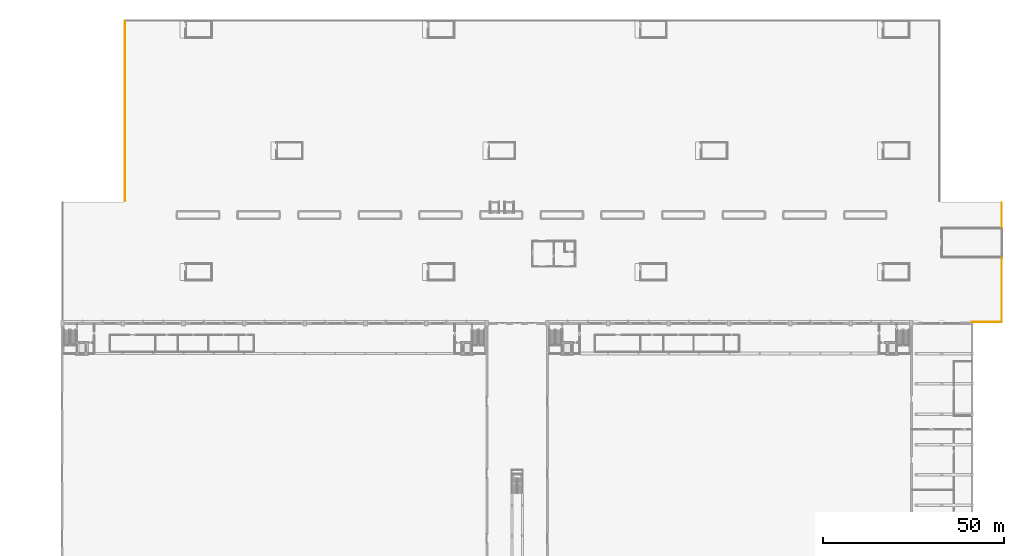
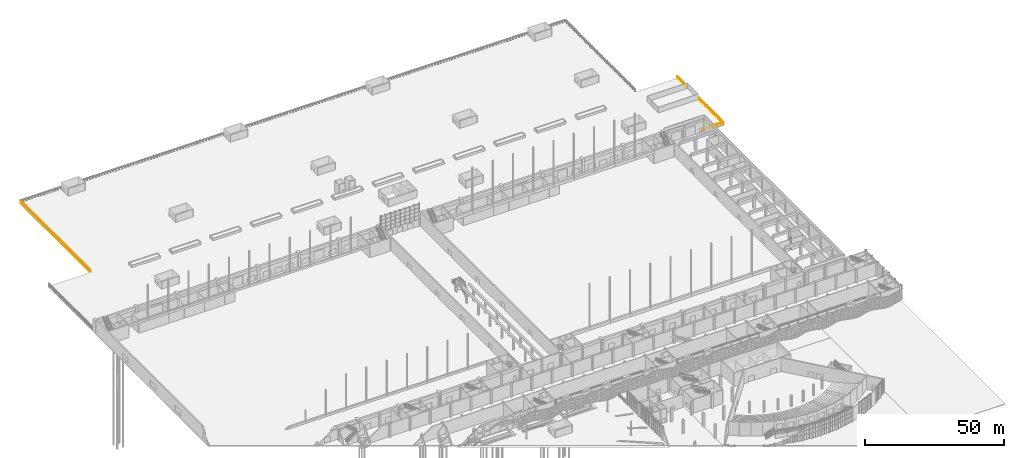
# One storey, part 208 of 210: 4 railings.
"""IFC4 building model written with IfcOpenShell, lengths in metres."""

from ifc_helpers import new_model, si_unit, direction, frame, origin, origin_2d, place, context, subcontext, project, spatial, circle, extrude, material, type_object, element, save


model = new_model("IFC4")

# Units and contexts
model_context = context("Model", 3, precision=1e-05, world=origin(), true_north=direction((0.0, 1.0)))
body_context = subcontext(model_context, "Body", "Model", "MODEL_VIEW")
ifc_project = project(units=[si_unit("LENGTHUNIT", "METRE"), si_unit("AREAUNIT", "SQUARE_METRE"), si_unit("VOLUMEUNIT", "CUBIC_METRE"), si_unit("PLANEANGLEUNIT", "RADIAN"), si_unit("MASSUNIT", "GRAM", prefix="KILO")], contexts=[model_context])

# Site, building, storey
site_placement = place(None, origin())
site = spatial("IfcSite", under=ifc_project, at=site_placement, CompositionType="ELEMENT")
building_placement = place(site_placement, origin())
building = spatial("IfcBuilding", under=site, at=building_placement, Name="Rain Tree Exposition and Congress Centre", CompositionType="ELEMENT")
storey_placement = place(building_placement, origin())
storey = spatial("IfcBuildingStorey", under=building, at=storey_placement, Name="L00", CompositionType="ELEMENT", Elevation=0.0)

# Railings
ifc_material = material(Name="Stainless steel", Category="steel")
railing_type = type_object("IfcRailingType", Name="Guard 1100 stainless", PredefinedType="GUARDRAIL", material=ifc_material)
railing_1_placement = place(storey_placement, frame((25.800048828125, 235.39990234375, 0.0)))
element("IfcRailing", 1, at=railing_1_placement, inside=storey, type_object=railing_type, Name="North deck edge guard yard-west", PredefinedType="GUARDRAIL", context=body_context, shape_type="SweptSolid", body=[
    extrude(circle(Radius=0.02490234375, at=origin_2d()), frame((0.0, 0.0, 1.0751953125), z_axis=(0.0, 1.0, 0.0), x_axis=(-1.0, 0.0, 0.0)), (0.0, 0.0, 1.0), 50.0),
    extrude(circle(Radius=0.02490234375, at=origin_2d()), origin(), (0.0, 0.0, 1.0), 1.050048828125),
    extrude(circle(Radius=0.02490234375, at=origin_2d()), frame((0.0, 1.1904296875, 0.0)), (0.0, 0.0, 1.0), 1.050048828125),
    extrude(circle(Radius=0.02490234375, at=origin_2d()), frame((0.0, 2.380859375, 0.0)), (0.0, 0.0, 1.0), 1.050048828125),
    extrude(circle(Radius=0.02490234375, at=origin_2d()), frame((0.0, 3.571533203125, 0.0)), (0.0, 0.0, 1.0), 1.050048828125),
    extrude(circle(Radius=0.02490234375, at=origin_2d()), frame((0.0, 4.761962890625, 0.0)), (0.0, 0.0, 1.0), 1.050048828125),
    extrude(circle(Radius=0.02490234375, at=origin_2d()), frame((0.0, 5.952392578125, 0.0)), (0.0, 0.0, 1.0), 1.050048828125),
    extrude(circle(Radius=0.02490234375, at=origin_2d()), frame((0.0, 7.142822265625, 0.0)), (0.0, 0.0, 1.0), 1.050048828125),
    extrude(circle(Radius=0.02490234375, at=origin_2d()), frame((0.0, 8.333251953125, 0.0)), (0.0, 0.0, 1.0), 1.050048828125),
    extrude(circle(Radius=0.02490234375, at=origin_2d()), frame((0.0, 9.52392578125, 0.0)), (0.0, 0.0, 1.0), 1.050048828125),
    extrude(circle(Radius=0.02490234375, at=origin_2d()), frame((0.0, 10.71435546875, 0.0)), (0.0, 0.0, 1.0), 1.050048828125),
    extrude(circle(Radius=0.02490234375, at=origin_2d()), frame((0.0, 11.90478515625, 0.0)), (0.0, 0.0, 1.0), 1.050048828125),
    extrude(circle(Radius=0.02490234375, at=origin_2d()), frame((0.0, 13.09521484375, 0.0)), (0.0, 0.0, 1.0), 1.050048828125),
    extrude(circle(Radius=0.02490234375, at=origin_2d()), frame((0.0, 14.28564453125, 0.0)), (0.0, 0.0, 1.0), 1.050048828125),
    extrude(circle(Radius=0.02490234375, at=origin_2d()), frame((0.0, 15.47607421875, 0.0)), (0.0, 0.0, 1.0), 1.050048828125),
    extrude(circle(Radius=0.02490234375, at=origin_2d()), frame((0.0, 16.666748046875, 0.0)), (0.0, 0.0, 1.0), 1.050048828125),
    extrude(circle(Radius=0.02490234375, at=origin_2d()), frame((0.0, 17.857177734375, 0.0)), (0.0, 0.0, 1.0), 1.050048828125),
    extrude(circle(Radius=0.02490234375, at=origin_2d()), frame((0.0, 19.047607421875, 0.0)), (0.0, 0.0, 1.0), 1.050048828125),
    extrude(circle(Radius=0.02490234375, at=origin_2d()), frame((0.0, 20.238037109375, 0.0)), (0.0, 0.0, 1.0), 1.050048828125),
    extrude(circle(Radius=0.02490234375, at=origin_2d()), frame((0.0, 21.428466796875, 0.0)), (0.0, 0.0, 1.0), 1.050048828125),
    extrude(circle(Radius=0.02490234375, at=origin_2d()), frame((0.0, 22.619140625, 0.0)), (0.0, 0.0, 1.0), 1.050048828125),
    extrude(circle(Radius=0.02490234375, at=origin_2d()), frame((0.0, 23.8095703125, 0.0)), (0.0, 0.0, 1.0), 1.050048828125),
    extrude(circle(Radius=0.02490234375, at=origin_2d()), frame((0.0, 25.0, 0.0)), (0.0, 0.0, 1.0), 1.050048828125),
    extrude(circle(Radius=0.02490234375, at=origin_2d()), frame((0.0, 26.1904296875, 0.0)), (0.0, 0.0, 1.0), 1.050048828125),
    extrude(circle(Radius=0.02490234375, at=origin_2d()), frame((0.0, 27.380859375, 0.0)), (0.0, 0.0, 1.0), 1.050048828125),
    extrude(circle(Radius=0.02490234375, at=origin_2d()), frame((0.0, 28.571533203125, 0.0)), (0.0, 0.0, 1.0), 1.050048828125),
    extrude(circle(Radius=0.02490234375, at=origin_2d()), frame((0.0, 29.761962890625, 0.0)), (0.0, 0.0, 1.0), 1.050048828125),
    extrude(circle(Radius=0.02490234375, at=origin_2d()), frame((0.0, 30.952392578125, 0.0)), (0.0, 0.0, 1.0), 1.050048828125),
    extrude(circle(Radius=0.02490234375, at=origin_2d()), frame((0.0, 32.142822265625, 0.0)), (0.0, 0.0, 1.0), 1.050048828125),
    extrude(circle(Radius=0.02490234375, at=origin_2d()), frame((0.0, 33.333251953125, 0.0)), (0.0, 0.0, 1.0), 1.050048828125),
    extrude(circle(Radius=0.02490234375, at=origin_2d()), frame((0.0, 34.52392578125, 0.0)), (0.0, 0.0, 1.0), 1.050048828125),
    extrude(circle(Radius=0.02490234375, at=origin_2d()), frame((0.0, 35.71435546875, 0.0)), (0.0, 0.0, 1.0), 1.050048828125),
    extrude(circle(Radius=0.02490234375, at=origin_2d()), frame((0.0, 36.90478515625, 0.0)), (0.0, 0.0, 1.0), 1.050048828125),
    extrude(circle(Radius=0.02490234375, at=origin_2d()), frame((0.0, 38.09521484375, 0.0)), (0.0, 0.0, 1.0), 1.050048828125),
    extrude(circle(Radius=0.02490234375, at=origin_2d()), frame((0.0, 39.28564453125, 0.0)), (0.0, 0.0, 1.0), 1.050048828125),
    extrude(circle(Radius=0.02490234375, at=origin_2d()), frame((0.0, 40.47607421875, 0.0)), (0.0, 0.0, 1.0), 1.050048828125),
    extrude(circle(Radius=0.02490234375, at=origin_2d()), frame((0.0, 41.666748046875, 0.0)), (0.0, 0.0, 1.0), 1.050048828125),
    extrude(circle(Radius=0.02490234375, at=origin_2d()), frame((0.0, 42.857177734375, 0.0)), (0.0, 0.0, 1.0), 1.050048828125),
    extrude(circle(Radius=0.02490234375, at=origin_2d()), frame((0.0, 44.047607421875, 0.0)), (0.0, 0.0, 1.0), 1.050048828125),
    extrude(circle(Radius=0.02490234375, at=origin_2d()), frame((0.0, 45.238037109375, 0.0)), (0.0, 0.0, 1.0), 1.050048828125),
    extrude(circle(Radius=0.02490234375, at=origin_2d()), frame((0.0, 46.428466796875, 0.0)), (0.0, 0.0, 1.0), 1.050048828125),
    extrude(circle(Radius=0.02490234375, at=origin_2d()), frame((0.0, 47.619140625, 0.0)), (0.0, 0.0, 1.0), 1.050048828125),
    extrude(circle(Radius=0.02490234375, at=origin_2d()), frame((0.0, 48.8095703125, 0.0)), (0.0, 0.0, 1.0), 1.050048828125),
    extrude(circle(Radius=0.02490234375, at=origin_2d()), frame((0.0, 50.0, 0.0)), (0.0, 0.0, 1.0), 1.050048828125),
])
railing_2_placement = place(storey_placement, frame((268.64990234375, 202.0, 0.0)))
element("IfcRailing", 2, at=railing_2_placement, inside=storey, type_object=railing_type, Name="North deck edge guard apron-east", PredefinedType="GUARDRAIL", context=body_context, shape_type="SweptSolid", body=[
    extrude(circle(Radius=0.02490234375, at=origin_2d()), frame((0.0, 0.0, 1.0751953125), z_axis=(0.0, 1.0, 0.0), x_axis=(-1.0, 0.0, 0.0)), (0.0, 0.0, 1.0), 17.699951171875),
    extrude(circle(Radius=0.02490234375, at=origin_2d()), origin(), (0.0, 0.0, 1.0), 1.050048828125),
    extrude(circle(Radius=0.02490234375, at=origin_2d()), frame((0.0, 1.179931640625, 0.0)), (0.0, 0.0, 1.0), 1.050048828125),
    extrude(circle(Radius=0.02490234375, at=origin_2d()), frame((0.0, 2.360107421875, 0.0)), (0.0, 0.0, 1.0), 1.050048828125),
    extrude(circle(Radius=0.02490234375, at=origin_2d()), frame((0.0, 3.5400390625, 0.0)), (0.0, 0.0, 1.0), 1.050048828125),
    extrude(circle(Radius=0.02490234375, at=origin_2d()), frame((0.0, 4.719970703125, 0.0)), (0.0, 0.0, 1.0), 1.050048828125),
    extrude(circle(Radius=0.02490234375, at=origin_2d()), frame((0.0, 5.89990234375, 0.0)), (0.0, 0.0, 1.0), 1.050048828125),
    extrude(circle(Radius=0.02490234375, at=origin_2d()), frame((0.0, 7.080078125, 0.0)), (0.0, 0.0, 1.0), 1.050048828125),
    extrude(circle(Radius=0.02490234375, at=origin_2d()), frame((0.0, 8.260009765625, 0.0)), (0.0, 0.0, 1.0), 1.050048828125),
    extrude(circle(Radius=0.02490234375, at=origin_2d()), frame((0.0, 9.43994140625, 0.0)), (0.0, 0.0, 1.0), 1.050048828125),
    extrude(circle(Radius=0.02490234375, at=origin_2d()), frame((0.0, 10.619873046875, 0.0)), (0.0, 0.0, 1.0), 1.050048828125),
    extrude(circle(Radius=0.02490234375, at=origin_2d()), frame((0.0, 11.800048828125, 0.0)), (0.0, 0.0, 1.0), 1.050048828125),
    extrude(circle(Radius=0.02490234375, at=origin_2d()), frame((0.0, 12.97998046875, 0.0)), (0.0, 0.0, 1.0), 1.050048828125),
    extrude(circle(Radius=0.02490234375, at=origin_2d()), frame((0.0, 14.159912109375, 0.0)), (0.0, 0.0, 1.0), 1.050048828125),
    extrude(circle(Radius=0.02490234375, at=origin_2d()), frame((0.0, 15.33984375, 0.0)), (0.0, 0.0, 1.0), 1.050048828125),
    extrude(circle(Radius=0.02490234375, at=origin_2d()), frame((0.0, 16.52001953125, 0.0)), (0.0, 0.0, 1.0), 1.050048828125),
    extrude(circle(Radius=0.02490234375, at=origin_2d()), frame((0.0, 17.699951171875, 0.0)), (0.0, 0.0, 1.0), 1.050048828125),
])
railing_3_placement = place(storey_placement, frame((268.64990234375, 228.10009765625, 0.0)))
element("IfcRailing", 3, at=railing_3_placement, inside=storey, type_object=railing_type, Name="North deck edge guard apron-east-ramp", PredefinedType="GUARDRAIL", context=body_context, shape_type="SweptSolid", body=[
    extrude(circle(Radius=0.02490234375, at=origin_2d()), frame((0.0, 0.0, 1.0751953125), z_axis=(0.0, 1.0, 0.0), x_axis=(-1.0, 0.0, 0.0)), (0.0, 0.0, 1.0), 6.89990234375),
    extrude(circle(Radius=0.02490234375, at=origin_2d()), origin(), (0.0, 0.0, 1.0), 1.050048828125),
    extrude(circle(Radius=0.02490234375, at=origin_2d()), frame((0.0, 1.14990234375, 0.0)), (0.0, 0.0, 1.0), 1.050048828125),
    extrude(circle(Radius=0.02490234375, at=origin_2d()), frame((0.0, 2.300048828125, 0.0)), (0.0, 0.0, 1.0), 1.050048828125),
    extrude(circle(Radius=0.02490234375, at=origin_2d()), frame((0.0, 3.449951171875, 0.0)), (0.0, 0.0, 1.0), 1.050048828125),
    extrude(circle(Radius=0.02490234375, at=origin_2d()), frame((0.0, 4.599853515625, 0.0)), (0.0, 0.0, 1.0), 1.050048828125),
    extrude(circle(Radius=0.02490234375, at=origin_2d()), frame((0.0, 5.75, 0.0)), (0.0, 0.0, 1.0), 1.050048828125),
    extrude(circle(Radius=0.02490234375, at=origin_2d()), frame((0.0, 6.89990234375, 0.0)), (0.0, 0.0, 1.0), 1.050048828125),
])
railing_4_placement = place(storey_placement, frame((260.39990234375, 201.949951171875, 0.0)))
element("IfcRailing", 4, at=railing_4_placement, inside=storey, type_object=railing_type, Name="North deck edge guard apron-south-east", PredefinedType="GUARDRAIL", context=body_context, shape_type="SweptSolid", body=[
    extrude(circle(Radius=0.02490234375, at=origin_2d()), frame((0.0, 0.0, 1.0751953125), z_axis=(1.0, 0.0, 0.0), x_axis=(0.0, 1.0, 0.0)), (0.0, 0.0, 1.0), 8.25),
    extrude(circle(Radius=0.02490234375, at=origin_2d()), origin(), (0.0, 0.0, 1.0), 1.050048828125),
    extrude(circle(Radius=0.02490234375, at=origin_2d()), frame((1.178466796875, 0.0, 0.0)), (0.0, 0.0, 1.0), 1.050048828125),
    extrude(circle(Radius=0.02490234375, at=origin_2d()), frame((2.357177734375, 0.0, 0.0)), (0.0, 0.0, 1.0), 1.050048828125),
    extrude(circle(Radius=0.02490234375, at=origin_2d()), frame((3.53564453125, 0.0, 0.0)), (0.0, 0.0, 1.0), 1.050048828125),
    extrude(circle(Radius=0.02490234375, at=origin_2d()), frame((4.71435546875, 0.0, 0.0)), (0.0, 0.0, 1.0), 1.050048828125),
    extrude(circle(Radius=0.02490234375, at=origin_2d()), frame((5.892822265625, 0.0, 0.0)), (0.0, 0.0, 1.0), 1.050048828125),
    extrude(circle(Radius=0.02490234375, at=origin_2d()), frame((7.071533203125, 0.0, 0.0)), (0.0, 0.0, 1.0), 1.050048828125),
    extrude(circle(Radius=0.02490234375, at=origin_2d()), frame((8.25, 0.0, 0.0)), (0.0, 0.0, 1.0), 1.050048828125),
])

save(model, "model.ifc")
